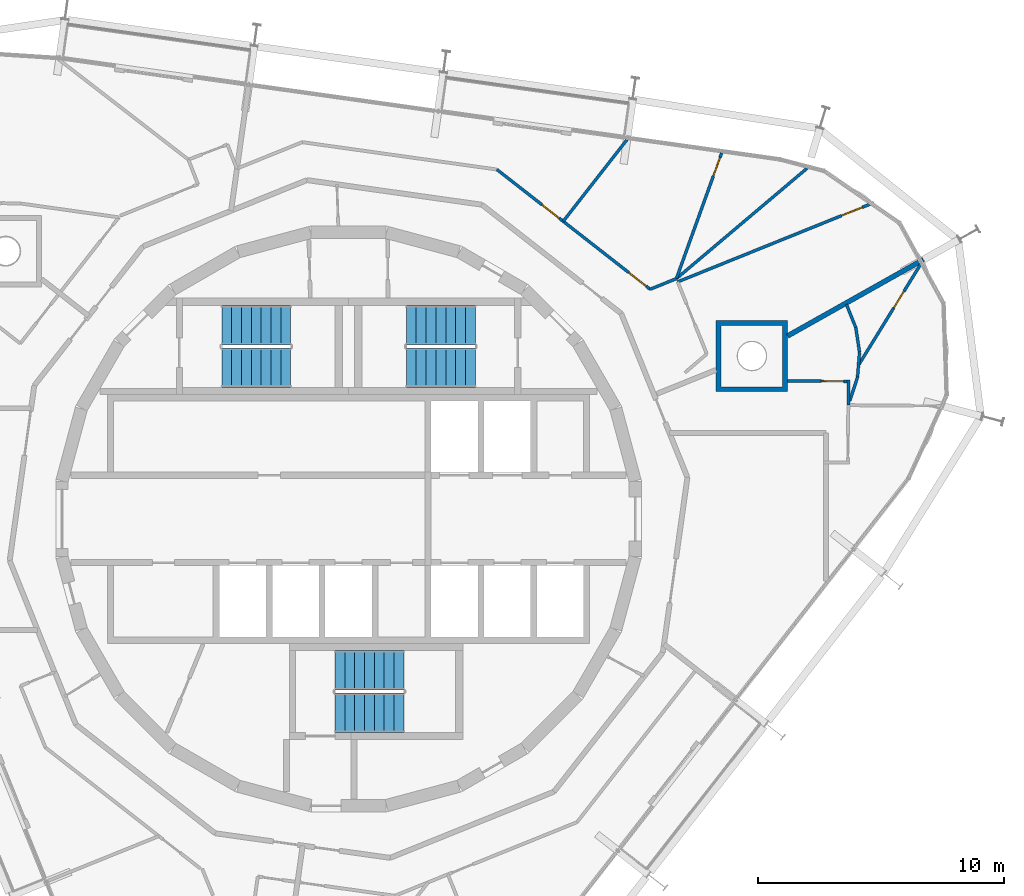
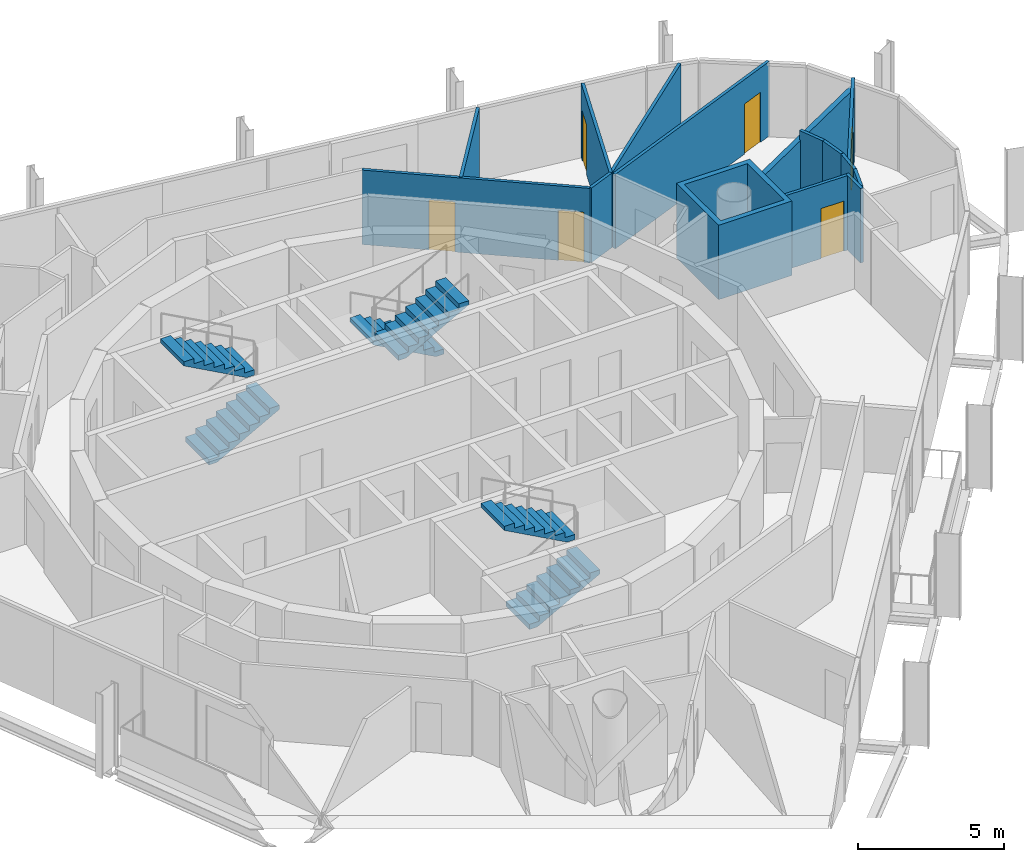
# One storey, part 14 of 15: 15 walls, 6 doors, 6 stair flights, 6 openings, 3 elements without a shape of their own.
"""IFC4 building model written with IfcOpenShell, lengths in metres."""

from ifc_helpers import new_model, si_unit, direction, frame, frame_2d, origin, place, context, subcontext, project, spatial, polyline, rectangle, outline, extrude, material, layer, layer_set, type_object, element, fill, aggregate, save


model = new_model("IFC4")

# Units and contexts
model_context = context("Model", 3, precision=1e-05, world=origin(), true_north=direction((0.0, 1.0)))
body_context = subcontext(model_context, "Body", "Model", "MODEL_VIEW")
ifc_project = project(units=[si_unit("LENGTHUNIT", "METRE"), si_unit("AREAUNIT", "SQUARE_METRE"), si_unit("VOLUMEUNIT", "CUBIC_METRE"), si_unit("PLANEANGLEUNIT", "RADIAN"), si_unit("MASSUNIT", "GRAM", prefix="KILO")], contexts=[model_context])

# Site, building, storey
site_placement = place(None, origin())
site = spatial("IfcSite", under=ifc_project, at=site_placement, CompositionType="ELEMENT")
building_placement = place(site_placement, origin())
building = spatial("IfcBuilding", under=site, at=building_placement, Name="Spindle Arch Residences", CompositionType="ELEMENT")
storey_placement = place(building_placement, frame((0.0, 0.0, 357.5)))
storey = spatial("IfcBuildingStorey", under=building, at=storey_placement, Name="L92", CompositionType="ELEMENT", Elevation=357.5)

# Wall
ifc_material_1 = material(Name="Plasterboard on steel studs", Category="steel")
ifc_layer_1 = layer(ifc_material_1, 0.1201171875)
ifc_layer_set_1 = layer_set([ifc_layer_1], Name="Flat partition 120")
wall_type_1 = type_object("IfcWallType", Name="Flat partition 120", PredefinedType="PARTITIONING", material=ifc_layer_set_1)
wall_1_placement = place(storey_placement, frame((20.30615234375, 4.638671875, 0.0), z_axis=(0.0, 0.0, 1.0), x_axis=(0.008906724211, 0.999960334345, 0.0)))
element("IfcWall", 1, at=wall_1_placement, inside=storey, type_object=wall_type_1, Name="Flat partition R9C1-W031", PredefinedType="PARTITIONING", context=body_context, shape_type="SweptSolid", body=[
    extrude(rectangle(XDim=1.01416015625, YDim=0.1201171875, at=frame_2d((0.507080078125, 0.0))), origin(), (0.0, 0.0, 1.0), 3.1201171875),
])

# Wall, opening, door
wall_2_placement = place(storey_placement, frame((20.314697265625, 5.593017578125, 0.0), z_axis=(0.0, 0.0, 1.0), x_axis=(-0.999960597409, 0.008877140833, 0.0)))
wall_2 = element("IfcWall", 2, at=wall_2_placement, inside=storey, type_object=wall_type_1, Name="Flat partition R9C1-W032", PredefinedType="PARTITIONING", context=body_context, shape_type="SweptSolid", body=[
    extrude(rectangle(XDim=2.47509765625, YDim=0.1201171875, at=frame_2d((1.237548828125, 0.0))), origin(), (0.0, 0.0, 1.0), 3.1201171875),
])
opening_1_placement = place(wall_2_placement, frame((0.199951171875, 0.0, 0.0)))
opening_1 = element("IfcOpeningElement", 3, at=opening_1_placement, cuts=wall_2, Name="Opening R9C1-ID02", PredefinedType="OPENING", context=body_context, shape_type="SweptSolid", body=[
    extrude(rectangle(XDim=0.89990234375, YDim=2.10009765625, at=frame_2d((0.449951171875, 1.050048828125))), frame((0.0, 0.070068359375, 0.0), z_axis=(0.0, -1.0, 0.0), x_axis=(1.0, 0.0, 0.0)), (0.0, 0.0, 1.0), 0.14013671875),
])
ifc_material_2 = material(Name="Timber door set", Category="wood")
door_type_1 = type_object("IfcDoorType", Name="Room door 900x2100", OperationType="NOTDEFINED", PredefinedType="DOOR", material=ifc_material_2)
door_1_placement = place(opening_1_placement, origin())
door_1 = element("IfcDoor", 4, at=door_1_placement, inside=storey, type_object=door_type_1, Name="Room door R9C1-ID02", OperationType="SINGLE_SWING_RIGHT", OverallHeight=2.10009765625, OverallWidth=0.89990234375, PredefinedType="DOOR", context=body_context, shape_type="SweptSolid", body=[
    extrude(rectangle(XDim=0.89990234375, YDim=2.10009765625, at=frame_2d((0.449951171875, 1.050048828125))), frame((0.0, 0.02490234375, 0.0), z_axis=(0.0, -1.0, 0.0), x_axis=(1.0, 0.0, 0.0)), (0.0, 0.0, 1.0), 0.050048828125),
])
fill(opening_1, door_1)

# Walls
wall_3_placement = place(storey_placement, frame((20.762451171875, 6.774658203125, 0.0), z_axis=(0.0, 0.0, 1.0), x_axis=(-0.08121587, -0.996696534789, 0.0)))
element("IfcWall", 5, at=wall_3_placement, inside=storey, type_object=wall_type_1, Name="Flat partition R9C1-W034", PredefinedType="PARTITIONING", context=body_context, shape_type="SweptSolid", body=[
    extrude(rectangle(XDim=1.01611328125, YDim=0.1201171875, at=frame_2d((0.508056640625, 0.0))), origin(), (0.0, 0.0, 1.0), 3.1201171875),
])
wall_4_placement = place(storey_placement, frame((20.679931640625, 5.761962890625, 0.0), z_axis=(0.0, 0.0, 1.0), x_axis=(-0.30908063779, -0.951035834942, 0.0)))
element("IfcWall", 6, at=wall_4_placement, inside=storey, type_object=wall_type_1, Name="Flat partition R9C1-W035", PredefinedType="PARTITIONING", context=body_context, shape_type="SweptSolid", body=[
    extrude(rectangle(XDim=1.015869140625, YDim=0.1201171875, at=frame_2d((0.5078125, 0.0))), origin(), (0.0, 0.0, 1.0), 3.1201171875),
])

# Wall, opening, door
wall_5_placement = place(storey_placement, frame((23.357421875, 10.532470703125, 0.0), z_axis=(0.0, 0.0, 1.0), x_axis=(-0.524476563806, -0.851424884542, 0.0)))
wall_5 = element("IfcWall", 7, at=wall_5_placement, inside=storey, type_object=wall_type_1, Name="Flat partition R9C1-W036", PredefinedType="PARTITIONING", context=body_context, shape_type="SweptSolid", body=[
    extrude(rectangle(XDim=5.029296875, YDim=0.1201171875, at=frame_2d((2.5146484375, 0.0))), origin(), (0.0, 0.0, 1.0), 3.1201171875),
])
opening_2_placement = place(wall_5_placement, frame((1.5, 0.0, 0.0)))
opening_2 = element("IfcOpeningElement", 8, at=opening_2_placement, cuts=wall_5, Name="Opening R9C1-BD01", PredefinedType="OPENING", context=body_context, shape_type="SweptSolid", body=[
    extrude(rectangle(XDim=0.800048828125, YDim=2.10009765625, at=frame_2d((0.39990234375, 1.050048828125))), frame((0.0, 0.070068359375, 0.0), z_axis=(0.0, -1.0, 0.0), x_axis=(1.0, 0.0, 0.0)), (0.0, 0.0, 1.0), 0.14013671875),
])
ifc_material_3 = material(Name="Timber door set", Category="wood")
door_type_2 = type_object("IfcDoorType", Name="Bathroom door 800x2100", OperationType="NOTDEFINED", PredefinedType="DOOR", material=ifc_material_3)
door_2_placement = place(opening_2_placement, origin())
door_2 = element("IfcDoor", 9, at=door_2_placement, inside=storey, type_object=door_type_2, Name="Bathroom door R9C1-BD01", OperationType="SINGLE_SWING_RIGHT", OverallHeight=2.10009765625, OverallWidth=0.800048828125, PredefinedType="DOOR", context=body_context, shape_type="SweptSolid", body=[
    extrude(rectangle(XDim=0.800048828125, YDim=2.10009765625, at=frame_2d((0.39990234375, 1.050048828125))), frame((0.0, 0.02490234375, 0.0), z_axis=(0.0, -1.0, 0.0), x_axis=(1.0, 0.0, 0.0)), (0.0, 0.0, 1.0), 0.050048828125),
])
fill(opening_2, door_2)

# Walls
wall_6_placement = place(storey_placement, frame((20.762451171875, 6.774658203125, 0.0), z_axis=(0.0, 0.0, 1.0), x_axis=(-0.150702440861, 0.988579169474, 0.0)))
element("IfcWall", 10, at=wall_6_placement, inside=storey, type_object=wall_type_1, Name="Flat partition R9C1-W037", PredefinedType="PARTITIONING", context=body_context, shape_type="SweptSolid", body=[
    extrude(rectangle(XDim=1.015869140625, YDim=0.1201171875, at=frame_2d((0.5078125, 0.0))), origin(), (0.0, 0.0, 1.0), 3.1201171875),
])
wall_7_placement = place(storey_placement, frame((20.609375, 7.77880859375, 0.0), z_axis=(0.0, 0.0, 1.0), x_axis=(-0.374371668856, 0.927278735633, 0.0)))
element("IfcWall", 11, at=wall_7_placement, inside=storey, type_object=wall_type_1, Name="Flat partition R9C1-W038", PredefinedType="PARTITIONING", context=body_context, shape_type="SweptSolid", body=[
    extrude(rectangle(XDim=1.01611328125, YDim=0.1201171875, at=frame_2d((0.508056640625, 0.0))), origin(), (0.0, 0.0, 1.0), 3.1201171875),
])
wall_8_placement = place(storey_placement, frame((13.3203125, 9.765380859375, 0.0), z_axis=(0.0, 0.0, 1.0), x_axis=(-0.92716811739, -0.37464554194, 0.0)))
element("IfcWall", 12, at=wall_8_placement, inside=storey, type_object=wall_type_1, Name="Flat partition R9C1-W041", PredefinedType="PARTITIONING", context=body_context, shape_type="SweptSolid", body=[
    extrude(rectangle(XDim=1.150146484375, YDim=0.1201171875, at=frame_2d((0.5751953125, 0.0))), origin(), (0.0, 0.0, 1.0), 3.1201171875),
])

# Wall, openings, doors
wall_9_placement = place(storey_placement, frame((12.25390625, 9.33447265625, 0.0), z_axis=(0.0, 0.0, 1.0), x_axis=(-0.787994393996, 0.615682414098, 0.0)))
wall_9 = element("IfcWall", 13, at=wall_9_placement, inside=storey, type_object=wall_type_1, Name="Flat partition R9C1-W042", PredefinedType="PARTITIONING", context=body_context, shape_type="SweptSolid", body=[
    extrude(rectangle(XDim=7.90185546875, YDim=0.1201171875, at=frame_2d((3.950927734375, 0.0))), origin(), (0.0, 0.0, 1.0), 3.1201171875),
])
opening_3_placement = place(wall_9_placement, frame((0.199951171875, 0.0, 0.0)))
opening_3 = element("IfcOpeningElement", 14, at=opening_3_placement, cuts=wall_9, Name="Opening R9C1-ID05", PredefinedType="OPENING", context=body_context, shape_type="SweptSolid", body=[
    extrude(rectangle(XDim=0.89990234375, YDim=2.10009765625, at=frame_2d((0.449951171875, 1.050048828125))), frame((0.0, 0.070068359375, 0.0), z_axis=(0.0, -1.0, 0.0), x_axis=(1.0, 0.0, 0.0)), (0.0, 0.0, 1.0), 0.14013671875),
])
opening_4_placement = place(wall_9_placement, frame((4.6826171875, 0.0, 0.0)))
opening_4 = element("IfcOpeningElement", 15, at=opening_4_placement, cuts=wall_9, Name="Opening R9C1-ID06", PredefinedType="OPENING", context=body_context, shape_type="SweptSolid", body=[
    extrude(rectangle(XDim=0.89990234375, YDim=2.10009765625, at=frame_2d((0.449951171875, 1.050048828125))), frame((0.0, 0.070068359375, 0.0), z_axis=(0.0, -1.0, 0.0), x_axis=(1.0, 0.0, 0.0)), (0.0, 0.0, 1.0), 0.14013671875),
])
door_3_placement = place(opening_3_placement, origin())
door_3 = element("IfcDoor", 16, at=door_3_placement, inside=storey, type_object=door_type_1, Name="Room door R9C1-ID05", OperationType="SINGLE_SWING_LEFT", OverallHeight=2.10009765625, OverallWidth=0.89990234375, PredefinedType="DOOR", context=body_context, shape_type="SweptSolid", body=[
    extrude(rectangle(XDim=0.89990234375, YDim=2.10009765625, at=frame_2d((0.449951171875, 1.050048828125))), frame((0.0, 0.02490234375, 0.0), z_axis=(0.0, -1.0, 0.0), x_axis=(1.0, 0.0, 0.0)), (0.0, 0.0, 1.0), 0.050048828125),
])
fill(opening_3, door_3)
door_4_placement = place(opening_4_placement, origin())
door_4 = element("IfcDoor", 17, at=door_4_placement, inside=storey, type_object=door_type_1, Name="Room door R9C1-ID06", OperationType="SINGLE_SWING_LEFT", OverallHeight=2.10009765625, OverallWidth=0.89990234375, PredefinedType="DOOR", context=body_context, shape_type="SweptSolid", body=[
    extrude(rectangle(XDim=0.89990234375, YDim=2.10009765625, at=frame_2d((0.449951171875, 1.050048828125))), frame((0.0, 0.02490234375, 0.0), z_axis=(0.0, -1.0, 0.0), x_axis=(1.0, 0.0, 0.0)), (0.0, 0.0, 1.0), 0.050048828125),
])
fill(opening_4, door_4)

# Wall, opening, door
wall_10_placement = place(storey_placement, frame((21.33740234375, 12.852294921875, 0.0), z_axis=(0.0, 0.0, 1.0), x_axis=(-0.927185271553, -0.374603086232, 0.0)))
wall_10 = element("IfcWall", 18, at=wall_10_placement, inside=storey, type_object=wall_type_1, Name="Flat partition R9C1-W045", PredefinedType="PARTITIONING", context=body_context, shape_type="SweptSolid", body=[
    extrude(rectangle(XDim=8.58984375, YDim=0.1201171875, at=frame_2d((4.294921875, 0.0))), origin(), (0.0, 0.0, 1.0), 3.1201171875),
])
opening_5_placement = place(wall_10_placement, frame((0.5, 0.0, 0.0)))
opening_5 = element("IfcOpeningElement", 19, at=opening_5_placement, cuts=wall_10, Name="Opening R9C1-ID07", PredefinedType="OPENING", context=body_context, shape_type="SweptSolid", body=[
    extrude(rectangle(XDim=0.89990234375, YDim=2.10009765625, at=frame_2d((0.449951171875, 1.050048828125))), frame((0.0, 0.070068359375, 0.0), z_axis=(0.0, -1.0, 0.0), x_axis=(1.0, 0.0, 0.0)), (0.0, 0.0, 1.0), 0.14013671875),
])
door_5_placement = place(opening_5_placement, origin())
door_5 = element("IfcDoor", 20, at=door_5_placement, inside=storey, type_object=door_type_1, Name="Room door R9C1-ID07", OperationType="SINGLE_SWING_RIGHT", OverallHeight=2.10009765625, OverallWidth=0.89990234375, PredefinedType="DOOR", context=body_context, shape_type="SweptSolid", body=[
    extrude(rectangle(XDim=0.89990234375, YDim=2.10009765625, at=frame_2d((0.449951171875, 1.050048828125))), frame((0.0, 0.02490234375, 0.0), z_axis=(0.0, -1.0, 0.0), x_axis=(1.0, 0.0, 0.0)), (0.0, 0.0, 1.0), 0.050048828125),
])
fill(opening_5, door_5)

# Wall
wall_11_placement = place(storey_placement, frame((18.629638671875, 14.249267578125, 0.0), z_axis=(0.0, 0.0, 1.0), x_axis=(-0.763997588944, -0.64521909774, 0.0)))
element("IfcWall", 21, at=wall_11_placement, inside=storey, type_object=wall_type_1, Name="Flat partition R9C1-W046", PredefinedType="PARTITIONING", context=body_context, shape_type="SweptSolid", body=[
    extrude(rectangle(XDim=6.949462890625, YDim=0.1201171875, at=frame_2d((3.474609375, 0.0))), origin(), (0.0, 0.0, 1.0), 3.1201171875),
])

# Wall, opening, door
wall_12_placement = place(storey_placement, frame((15.16015625, 14.873291015625, 0.0), z_axis=(0.0, 0.0, 1.0), x_axis=(-0.338881884511, -0.940828926187, 0.0)))
wall_12 = element("IfcWall", 22, at=wall_12_placement, inside=storey, type_object=wall_type_1, Name="Flat partition R9C1-W047", PredefinedType="PARTITIONING", context=body_context, shape_type="SweptSolid", body=[
    extrude(rectangle(XDim=5.42919921875, YDim=0.1201171875, at=frame_2d((2.714599609375, 0.0))), origin(), (0.0, 0.0, 1.0), 3.1201171875),
])
opening_6_placement = place(wall_12_placement, frame((0.199951171875, 0.0, 0.0)))
opening_6 = element("IfcOpeningElement", 23, at=opening_6_placement, cuts=wall_12, Name="Opening R9C1-BD02", PredefinedType="OPENING", context=body_context, shape_type="SweptSolid", body=[
    extrude(rectangle(XDim=0.800048828125, YDim=2.10009765625, at=frame_2d((0.39990234375, 1.050048828125))), frame((0.0, 0.070068359375, 0.0), z_axis=(0.0, -1.0, 0.0), x_axis=(1.0, 0.0, 0.0)), (0.0, 0.0, 1.0), 0.14013671875),
])
door_6_placement = place(opening_6_placement, origin())
door_6 = element("IfcDoor", 24, at=door_6_placement, inside=storey, type_object=door_type_2, Name="Bathroom door R9C1-BD02", OperationType="SINGLE_SWING_LEFT", OverallHeight=2.10009765625, OverallWidth=0.800048828125, PredefinedType="DOOR", context=body_context, shape_type="SweptSolid", body=[
    extrude(rectangle(XDim=0.800048828125, YDim=2.10009765625, at=frame_2d((0.39990234375, 1.050048828125))), frame((0.0, 0.02490234375, 0.0), z_axis=(0.0, -1.0, 0.0), x_axis=(1.0, 0.0, 0.0)), (0.0, 0.0, 1.0), 0.050048828125),
])
fill(opening_6, door_6)

# Walls
wall_13_placement = place(storey_placement, frame((11.315185546875, 15.413818359375, 0.0), z_axis=(0.0, 0.0, 1.0), x_axis=(-0.615656413137, -0.788014708596, 0.0)))
element("IfcWall", 25, at=wall_13_placement, inside=storey, type_object=wall_type_1, Name="Flat partition R9C1-W048", PredefinedType="PARTITIONING", context=body_context, shape_type="SweptSolid", body=[
    extrude(rectangle(XDim=4.212646484375, YDim=0.1201171875, at=frame_2d((2.1064453125, 0.0))), origin(), (0.0, 0.0, 1.0), 3.1201171875),
])
ifc_material_4 = material(Name="Calcium silicate block, plastered")
ifc_layer_2 = layer(ifc_material_4, 0.199951171875)
ifc_layer_set_2 = layer_set([ifc_layer_2], Name="Flat party wall 200 under beam 2730")
wall_type_2 = type_object("IfcWallType", Name="Flat party wall 200 under beam 2730", PredefinedType="STANDARD", material=ifc_layer_set_2)
wall_14_placement = place(storey_placement, frame((23.354248046875, 10.536865234375, 0.0), z_axis=(0.0, 0.0, 1.0), x_axis=(-0.871719790551, -0.490004700754, 0.0)))
element("IfcWall", 26, at=wall_14_placement, inside=storey, type_object=wall_type_2, Name="Flat party wall R9C1-W023", PredefinedType="STANDARD", context=body_context, shape_type="SweptSolid", body=[
    extrude(rectangle(XDim=6.326171875, YDim=0.199951171875, at=frame_2d((3.1630859375, 0.0))), origin(), (0.0, 0.0, 1.0), 2.72998046875),
])
ifc_material_5 = material(Name="Calcium silicate block, plastered")
ifc_layer_3 = layer(ifc_material_5, 0.199951171875)
ifc_layer_set_3 = layer_set([ifc_layer_3], Name="Mega-column casing wall 200")
wall_type_3 = type_object("IfcWallType", Name="Mega-column casing wall 200", PredefinedType="STANDARD", material=ifc_layer_set_3)
wall_15_placement = place(storey_placement, origin())
element("IfcWall", 27, at=wall_15_placement, inside=storey, type_object=wall_type_3, Name="Mega-column casing wall R9C1-WC01", PredefinedType="STANDARD", context=body_context, shape_type="SweptSolid", body=[
    extrude(outline(polyline([(17.839599609375, 8.072021484375), (17.839599609375, 5.171875), (14.939697265625, 5.171875), (14.939697265625, 8.072021484375), (17.839599609375, 8.072021484375)]), holes=[polyline([(15.1396484375, 5.371826171875), (17.6396484375, 5.371826171875), (17.6396484375, 7.871826171875), (15.1396484375, 7.871826171875), (15.1396484375, 5.371826171875)])]), origin(), (0.0, 0.0, 1.0), 3.1201171875),
])

# Stair, stair flights
ifc_material_6 = material(Name="Concrete C50/60", Category="concrete")
stair_type = type_object("IfcStairType", Name="Exit stair 16 risers", PredefinedType="HALF_TURN_STAIR", material=ifc_material_6)
stair_1_placement = place(storey_placement, origin())
stair_1 = element("IfcStair", 28, at=stair_1_placement, inside=storey, type_object=stair_type, Name="L92 Exit stair ST1", PredefinedType="HALF_TURN_STAIR")
ifc_material_7 = material(Name="Concrete C50/60", Category="concrete")
stair_flight_type = type_object("IfcStairFlightType", Name="Exit stair flight", PredefinedType="STRAIGHT", material=ifc_material_7)
stair_flight_1_placement = place(storey_placement, frame((5.14990234375, 7.8701171875, 0.0), z_axis=(0.0, 0.0, 1.0), x_axis=(-1.0, 0.0, 0.0)))
stair_flight_1 = element("IfcStairFlight", 29, at=stair_flight_1_placement, type_object=stair_flight_type, Name="ST1 flight 1", NumberOfRisers=8, NumberOfTreads=7, PredefinedType="STRAIGHT", RiserHeight=0.21875, TreadLength=0.4, context=body_context, shape_type="SweptSolid", body=[
    extrude(outline(polyline([(0.0, 0.0), (0.0, 0.21875), (0.39990234375, 0.21875), (0.39990234375, 0.4375), (0.800048828125, 0.4375), (0.800048828125, 0.65625), (1.199951171875, 0.65625), (1.199951171875, 0.875), (1.60009765625, 0.875), (1.60009765625, 1.09375), (2.0, 1.09375), (2.0, 1.3125), (2.39990234375, 1.3125), (2.39990234375, 1.53125), (2.800048828125, 1.53125), (2.800048828125, 1.75), (2.800048828125, 1.3603515625), (0.3125, 0.0), (0.0, 0.0)])), frame((0.0, 0.800048828125, 0.0), z_axis=(0.0, -1.0, 0.0), x_axis=(1.0, 0.0, 0.0)), (0.0, 0.0, 1.0), 1.60009765625),
])
stair_flight_2_placement = place(storey_placement, frame((2.35009765625, 6.14990234375, 1.75), z_axis=(0.0, 0.0, 1.0), x_axis=(1.0, 0.0, 0.0)))
stair_flight_2 = element("IfcStairFlight", 30, at=stair_flight_2_placement, type_object=stair_flight_type, Name="ST1 flight 2", NumberOfRisers=8, NumberOfTreads=7, PredefinedType="STRAIGHT", RiserHeight=0.21875, TreadLength=0.4, context=body_context, shape_type="SweptSolid", body=[
    extrude(outline(polyline([(0.0, 0.0), (0.0, 0.21875), (0.39990234375, 0.21875), (0.39990234375, 0.4375), (0.800048828125, 0.4375), (0.800048828125, 0.65625), (1.199951171875, 0.65625), (1.199951171875, 0.875), (1.60009765625, 0.875), (1.60009765625, 1.09375), (2.0, 1.09375), (2.0, 1.3125), (2.39990234375, 1.3125), (2.39990234375, 1.53125), (2.800048828125, 1.53125), (2.800048828125, 1.75), (2.800048828125, 1.3603515625), (0.3125, 0.0), (0.0, 0.0)])), frame((0.0, 0.800048828125, 0.0), z_axis=(0.0, -1.0, 0.0), x_axis=(1.0, 0.0, 0.0)), (0.0, 0.0, 1.0), 1.60009765625),
])
aggregate(stair_1, [stair_flight_1, stair_flight_2])

stair_2_placement = place(storey_placement, origin())
stair_2 = element("IfcStair", 31, at=stair_2_placement, inside=storey, type_object=stair_type, Name="L92 Exit stair ST2", PredefinedType="HALF_TURN_STAIR")
stair_flight_3_placement = place(storey_placement, frame((-5.14990234375, 6.14990234375, 0.0), z_axis=(0.0, 0.0, 1.0), x_axis=(1.0, 0.0, 0.0)))
stair_flight_3 = element("IfcStairFlight", 32, at=stair_flight_3_placement, type_object=stair_flight_type, Name="ST2 flight 1", NumberOfRisers=8, NumberOfTreads=7, PredefinedType="STRAIGHT", RiserHeight=0.21875, TreadLength=0.4, context=body_context, shape_type="SweptSolid", body=[
    extrude(outline(polyline([(0.0, 0.0), (0.0, 0.21875), (0.39990234375, 0.21875), (0.39990234375, 0.4375), (0.800048828125, 0.4375), (0.800048828125, 0.65625), (1.199951171875, 0.65625), (1.199951171875, 0.875), (1.60009765625, 0.875), (1.60009765625, 1.09375), (2.0, 1.09375), (2.0, 1.3125), (2.39990234375, 1.3125), (2.39990234375, 1.53125), (2.800048828125, 1.53125), (2.800048828125, 1.75), (2.800048828125, 1.3603515625), (0.3125, 0.0), (0.0, 0.0)])), frame((0.0, 0.800048828125, 0.0), z_axis=(0.0, -1.0, 0.0), x_axis=(1.0, 0.0, 0.0)), (0.0, 0.0, 1.0), 1.60009765625),
])
stair_flight_4_placement = place(storey_placement, frame((-2.35009765625, 7.8701171875, 1.75), z_axis=(0.0, 0.0, 1.0), x_axis=(-1.0, 0.0, 0.0)))
stair_flight_4 = element("IfcStairFlight", 33, at=stair_flight_4_placement, type_object=stair_flight_type, Name="ST2 flight 2", NumberOfRisers=8, NumberOfTreads=7, PredefinedType="STRAIGHT", RiserHeight=0.21875, TreadLength=0.4, context=body_context, shape_type="SweptSolid", body=[
    extrude(outline(polyline([(0.0, 0.0), (0.0, 0.21875), (0.39990234375, 0.21875), (0.39990234375, 0.4375), (0.800048828125, 0.4375), (0.800048828125, 0.65625), (1.199951171875, 0.65625), (1.199951171875, 0.875), (1.60009765625, 0.875), (1.60009765625, 1.09375), (2.0, 1.09375), (2.0, 1.3125), (2.39990234375, 1.3125), (2.39990234375, 1.53125), (2.800048828125, 1.53125), (2.800048828125, 1.75), (2.800048828125, 1.3603515625), (0.3125, 0.0), (0.0, 0.0)])), frame((0.0, 0.800048828125, 0.0), z_axis=(0.0, -1.0, 0.0), x_axis=(1.0, 0.0, 0.0)), (0.0, 0.0, 1.0), 1.60009765625),
])
aggregate(stair_2, [stair_flight_3, stair_flight_4])

stair_3_placement = place(storey_placement, origin())
stair_3 = element("IfcStair", 34, at=stair_3_placement, inside=storey, type_object=stair_type, Name="L92 Exit stair ST3", PredefinedType="HALF_TURN_STAIR")
stair_flight_5_placement = place(storey_placement, frame((-0.550048828125, -7.8701171875, 0.0), z_axis=(0.0, 0.0, 1.0), x_axis=(1.0, 0.0, 0.0)))
stair_flight_5 = element("IfcStairFlight", 35, at=stair_flight_5_placement, type_object=stair_flight_type, Name="ST3 flight 1", NumberOfRisers=8, NumberOfTreads=7, PredefinedType="STRAIGHT", RiserHeight=0.21875, TreadLength=0.4, context=body_context, shape_type="SweptSolid", body=[
    extrude(outline(polyline([(0.0, 0.0), (0.0, 0.21875), (0.39990234375, 0.21875), (0.39990234375, 0.4375), (0.800048828125, 0.4375), (0.800048828125, 0.65625), (1.199951171875, 0.65625), (1.199951171875, 0.875), (1.60009765625, 0.875), (1.60009765625, 1.09375), (2.0, 1.09375), (2.0, 1.3125), (2.39990234375, 1.3125), (2.39990234375, 1.53125), (2.800048828125, 1.53125), (2.800048828125, 1.75), (2.800048828125, 1.3603515625), (0.3125, 0.0), (0.0, 0.0)])), frame((0.0, 0.800048828125, 0.0), z_axis=(0.0, -1.0, 0.0), x_axis=(1.0, 0.0, 0.0)), (0.0, 0.0, 1.0), 1.60009765625),
])
stair_flight_6_placement = place(storey_placement, frame((2.25, -6.14990234375, 1.75), z_axis=(0.0, 0.0, 1.0), x_axis=(-1.0, 0.0, 0.0)))
stair_flight_6 = element("IfcStairFlight", 36, at=stair_flight_6_placement, type_object=stair_flight_type, Name="ST3 flight 2", NumberOfRisers=8, NumberOfTreads=7, PredefinedType="STRAIGHT", RiserHeight=0.21875, TreadLength=0.4, context=body_context, shape_type="SweptSolid", body=[
    extrude(outline(polyline([(0.0, 0.0), (0.0, 0.21875), (0.39990234375, 0.21875), (0.39990234375, 0.4375), (0.800048828125, 0.4375), (0.800048828125, 0.65625), (1.199951171875, 0.65625), (1.199951171875, 0.875), (1.60009765625, 0.875), (1.60009765625, 1.09375), (2.0, 1.09375), (2.0, 1.3125), (2.39990234375, 1.3125), (2.39990234375, 1.53125), (2.800048828125, 1.53125), (2.800048828125, 1.75), (2.800048828125, 1.3603515625), (0.3125, 0.0), (0.0, 0.0)])), frame((0.0, 0.800048828125, 0.0), z_axis=(0.0, -1.0, 0.0), x_axis=(1.0, 0.0, 0.0)), (0.0, 0.0, 1.0), 1.60009765625),
])
aggregate(stair_3, [stair_flight_5, stair_flight_6])

save(model, "model.ifc")
